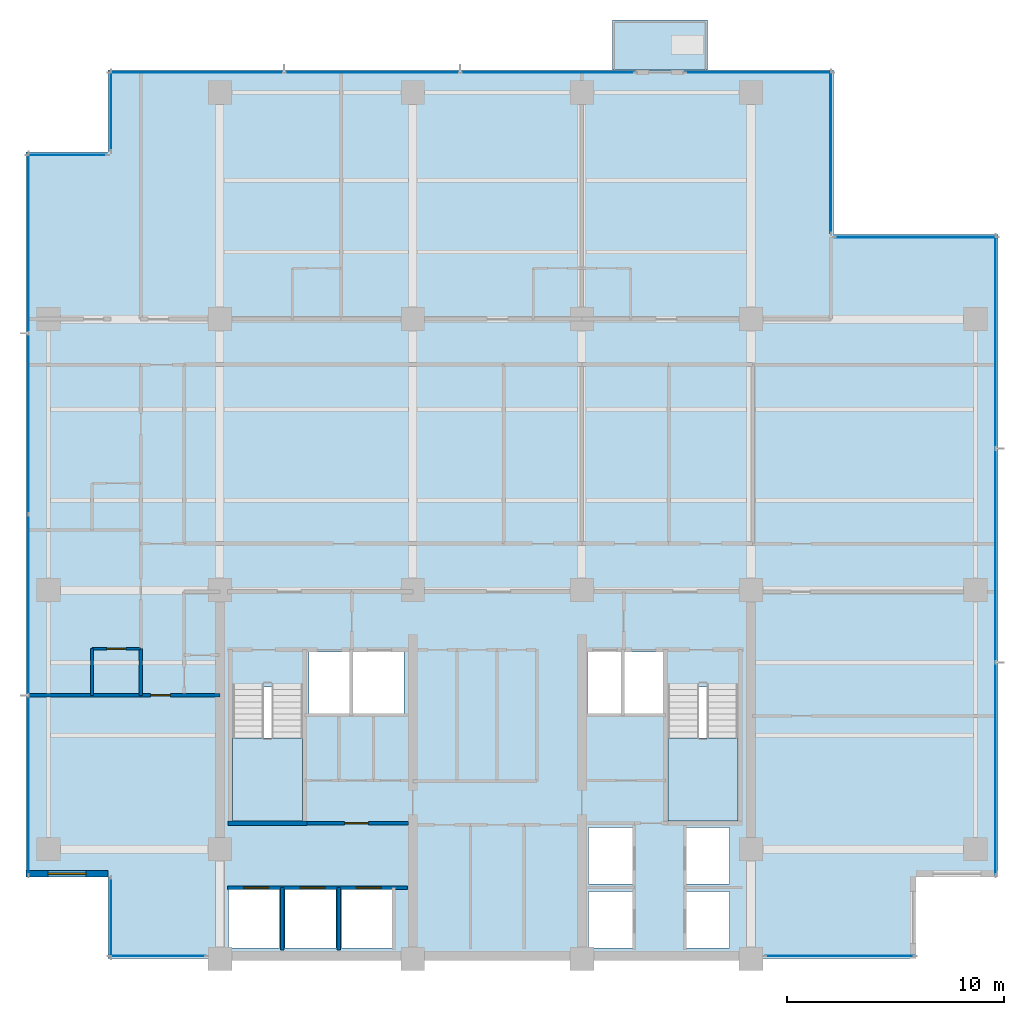
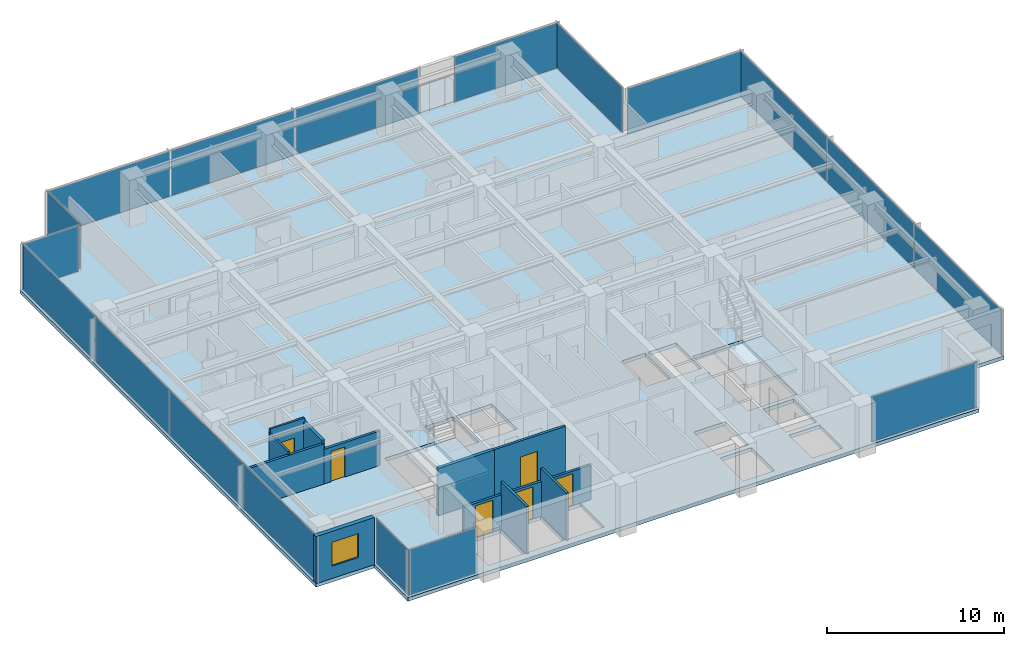
# One storey, part 6 of 15: 18 plates, 11 walls, 6 doors, 4 slabs, 1 window, 7 openings, 13 elements without a shape of their own.
"""IFC4 building model written with IfcOpenShell, lengths in metres."""

from ifc_helpers import new_model, si_unit, direction, frame, frame_2d, origin, origin_2d, place, context, subcontext, project, spatial, polyline, rectangle, outline, extrude, material, layer, layer_set, type_object, element, fill, aggregate, save


model = new_model("IFC4")

# Units and contexts
model_context = context("Model", 3, precision=1e-05, world=origin(), true_north=direction((0.0, 1.0)))
body_context = subcontext(model_context, "Body", "Model", "MODEL_VIEW")
ifc_project = project(units=[si_unit("LENGTHUNIT", "METRE"), si_unit("AREAUNIT", "SQUARE_METRE"), si_unit("VOLUMEUNIT", "CUBIC_METRE"), si_unit("PLANEANGLEUNIT", "RADIAN"), si_unit("MASSUNIT", "GRAM", prefix="KILO")], contexts=[model_context])

# Site, building, storey
site_placement = place(None, origin())
site = spatial("IfcSite", under=ifc_project, at=site_placement, CompositionType="ELEMENT")
building_placement = place(site_placement, origin())
building = spatial("IfcBuilding", under=site, at=building_placement, Name="Qalmaran Belvedere Hotel", CompositionType="ELEMENT")
storey_placement = place(building_placement, frame((0.0, 0.0, 163.10009765625)))
storey = spatial("IfcBuildingStorey", under=building, at=storey_placement, Name="L41", CompositionType="ELEMENT", Elevation=163.10009765625)

# Curtain wall, plate
ifc_material_1 = material(Name="Anodised Bronze Aluminium", Category="aluminium")
ifc_layer_1 = layer(ifc_material_1, 0.195068359375, Name="Anodised Bronze Aluminium")
ifc_layer_set_1 = layer_set([ifc_layer_1], Name="Anodised Bronze Aluminium")
curtain_wall_type = type_object("IfcCurtainWallType", Name="CW4-TOWER-HIGHMID", PredefinedType="NOTDEFINED", material=ifc_layer_set_1)
curtain_wall_1_placement = place(storey_placement, origin())
curtain_wall_1 = element("IfcCurtainWall", 1, at=curtain_wall_1_placement, inside=storey, type_object=curtain_wall_type, Name="L41 Curtain Wall CW4", PredefinedType="NOTDEFINED")
ifc_material_2 = material(Name="Solar-Control Double Glazing", Category="glass")
ifc_layer_2 = layer(ifc_material_2, 0.028076171875, Name="Solar-Control Double Glazing")
ifc_layer_set_2 = layer_set([ifc_layer_2], Name="Solar-Control Double Glazing")
plate_type = type_object("IfcPlateType", Name="CWP-VISION-28", PredefinedType="CURTAIN_PANEL", material=ifc_layer_set_2)
plate_1_placement = place(storey_placement, frame((17.429931640625, 3.6201171875, 0.06494140625), z_axis=(0.0, 0.0, 1.0), x_axis=(1.0, 0.0, 0.0)))
plate_1 = element("IfcPlate", 2, at=plate_1_placement, type_object=plate_type, Name="CW4 panel 1.1", PredefinedType="CURTAIN_PANEL", context=body_context, shape_type="SweptSolid", body=[
    extrude(rectangle(XDim=4.419921875, YDim=0.028076171875, at=origin_2d()), origin(), (0.0, 0.0, 1.0), 3.1201171875),
])
aggregate(curtain_wall_1, [plate_1])

curtain_wall_2_placement = place(storey_placement, origin())
curtain_wall_2 = element("IfcCurtainWall", 3, at=curtain_wall_2_placement, inside=storey, type_object=curtain_wall_type, Name="L41 Curtain Wall CW4", PredefinedType="NOTDEFINED")
plate_2_placement = place(storey_placement, frame((48.89501953125, 3.6201171875, 0.06494140625), z_axis=(0.0, 0.0, 1.0), x_axis=(1.0, 0.0, 0.0)))
plate_2 = element("IfcPlate", 4, at=plate_2_placement, type_object=plate_type, Name="CW4 panel 1.1", PredefinedType="CURTAIN_PANEL", context=body_context, shape_type="SweptSolid", body=[
    extrude(rectangle(XDim=6.8701171875, YDim=0.028076171875, at=origin_2d()), origin(), (0.0, 0.0, 1.0), 3.1201171875),
])
aggregate(curtain_wall_2, [plate_2])

# Curtain wall, plates
curtain_wall_3_placement = place(storey_placement, origin())
curtain_wall_3 = element("IfcCurtainWall", 5, at=curtain_wall_3_placement, inside=storey, type_object=curtain_wall_type, Name="L41 Curtain Wall CW4", PredefinedType="NOTDEFINED")
plate_3_placement = place(storey_placement, frame((56.080078125, 12.250732421875, 0.06494140625), z_axis=(0.0, 0.0, 1.0), x_axis=(0.0, 1.0, 0.0)))
plate_3 = element("IfcPlate", 6, at=plate_3_placement, type_object=plate_type, Name="CW4 panel 1.1", PredefinedType="CURTAIN_PANEL", context=body_context, shape_type="SweptSolid", body=[
    extrude(rectangle(XDim=9.76171875, YDim=0.028076171875, at=origin_2d()), origin(), (0.0, 0.0, 1.0), 3.1201171875),
])
plate_4_placement = place(storey_placement, frame((56.080078125, 22.10009765625, 0.06494140625), z_axis=(0.0, 0.0, 1.0), x_axis=(0.0, 1.0, 0.0)))
plate_4 = element("IfcPlate", 7, at=plate_4_placement, type_object=plate_type, Name="CW4 panel 2.1", PredefinedType="CURTAIN_PANEL", context=body_context, shape_type="SweptSolid", body=[
    extrude(rectangle(XDim=9.796630859375, YDim=0.028076171875, at=origin_2d()), origin(), (0.0, 0.0, 1.0), 3.1201171875),
])
plate_5_placement = place(storey_placement, frame((56.080078125, 31.94921875, 0.06494140625), z_axis=(0.0, 0.0, 1.0), x_axis=(0.0, 1.0, 0.0)))
plate_5 = element("IfcPlate", 8, at=plate_5_placement, type_object=plate_type, Name="CW4 panel 3.1", PredefinedType="CURTAIN_PANEL", context=body_context, shape_type="SweptSolid", body=[
    extrude(rectangle(XDim=9.76171875, YDim=0.028076171875, at=origin_2d()), origin(), (0.0, 0.0, 1.0), 3.1201171875),
])
aggregate(curtain_wall_3, [plate_3, plate_4, plate_5])

# Curtain wall, plate
curtain_wall_4_placement = place(storey_placement, origin())
curtain_wall_4 = element("IfcCurtainWall", 9, at=curtain_wall_4_placement, inside=storey, type_object=curtain_wall_type, Name="L41 Curtain Wall CW4", PredefinedType="NOTDEFINED")
plate_6_placement = place(storey_placement, frame((52.39990234375, 36.780029296875, 0.06494140625), z_axis=(0.0, 0.0, 1.0), x_axis=(-1.0, 0.0, 0.0)))
plate_6 = element("IfcPlate", 10, at=plate_6_placement, type_object=plate_type, Name="CW4 panel 1.1", PredefinedType="CURTAIN_PANEL", context=body_context, shape_type="SweptSolid", body=[
    extrude(rectangle(XDim=7.4599609375, YDim=0.028076171875, at=origin_2d()), origin(), (0.0, 0.0, 1.0), 3.1201171875),
])
aggregate(curtain_wall_4, [plate_6])

curtain_wall_5_placement = place(storey_placement, origin())
curtain_wall_5 = element("IfcCurtainWall", 11, at=curtain_wall_5_placement, inside=storey, type_object=curtain_wall_type, Name="L41 Curtain Wall CW4", PredefinedType="NOTDEFINED")
plate_7_placement = place(storey_placement, frame((48.47998046875, 40.699951171875, 0.06494140625), z_axis=(0.0, 0.0, 1.0), x_axis=(0.0, 1.0, 0.0)))
plate_7 = element("IfcPlate", 12, at=plate_7_placement, type_object=plate_type, Name="CW4 panel 1.1", PredefinedType="CURTAIN_PANEL", context=body_context, shape_type="SweptSolid", body=[
    extrude(rectangle(XDim=7.4599609375, YDim=0.028076171875, at=origin_2d()), origin(), (0.0, 0.0, 1.0), 3.1201171875),
])
aggregate(curtain_wall_5, [plate_7])

# Curtain wall, plates
curtain_wall_6_placement = place(storey_placement, origin())
curtain_wall_6 = element("IfcCurtainWall", 13, at=curtain_wall_6_placement, inside=storey, type_object=curtain_wall_type, Name="L41 Curtain Wall CW4", PredefinedType="NOTDEFINED")
plate_8_placement = place(storey_placement, frame((35.424072265625, 44.3798828125, 0.06494140625), z_axis=(0.0, 0.0, 1.0), x_axis=(-1.0, 0.0, 0.0)))
plate_8 = element("IfcPlate", 14, at=plate_8_placement, type_object=plate_type, Name="CW4 panel 1.1", PredefinedType="CURTAIN_PANEL", context=body_context, shape_type="SweptSolid", body=[
    extrude(rectangle(XDim=8.01171875, YDim=0.028076171875, at=origin_2d()), origin(), (0.0, 0.0, 1.0), 3.1201171875),
])
plate_9_placement = place(storey_placement, frame((27.324951171875, 44.3798828125, 0.06494140625), z_axis=(0.0, 0.0, 1.0), x_axis=(-1.0, 0.0, 0.0)))
plate_9 = element("IfcPlate", 15, at=plate_9_placement, type_object=plate_type, Name="CW4 panel 2.1", PredefinedType="CURTAIN_PANEL", context=body_context, shape_type="SweptSolid", body=[
    extrude(rectangle(XDim=8.046630859375, YDim=0.028076171875, at=origin_2d()), origin(), (0.0, 0.0, 1.0), 3.1201171875),
])
plate_10_placement = place(storey_placement, frame((19.225830078125, 44.3798828125, 0.06494140625), z_axis=(0.0, 0.0, 1.0), x_axis=(-1.0, 0.0, 0.0)))
plate_10 = element("IfcPlate", 16, at=plate_10_placement, type_object=plate_type, Name="CW4 panel 3.1", PredefinedType="CURTAIN_PANEL", context=body_context, shape_type="SweptSolid", body=[
    extrude(rectangle(XDim=8.01171875, YDim=0.028076171875, at=origin_2d()), origin(), (0.0, 0.0, 1.0), 3.1201171875),
])
aggregate(curtain_wall_6, [plate_8, plate_9, plate_10])

# Curtain wall, plate
curtain_wall_7_placement = place(storey_placement, origin())
curtain_wall_7 = element("IfcCurtainWall", 17, at=curtain_wall_7_placement, inside=storey, type_object=curtain_wall_type, Name="L41 Curtain Wall CW4", PredefinedType="NOTDEFINED")
plate_11_placement = place(storey_placement, frame((45.14990234375, 44.3798828125, 0.06494140625), z_axis=(0.0, 0.0, 1.0), x_axis=(-1.0, 0.0, 0.0)))
plate_11 = element("IfcPlate", 18, at=plate_11_placement, type_object=plate_type, Name="CW4 panel 1.1", PredefinedType="CURTAIN_PANEL", context=body_context, shape_type="SweptSolid", body=[
    extrude(rectangle(XDim=6.760009765625, YDim=0.028076171875, at=origin_2d()), origin(), (0.0, 0.0, 1.0), 3.1201171875),
])
aggregate(curtain_wall_7, [plate_11])

curtain_wall_8_placement = place(storey_placement, origin())
curtain_wall_8 = element("IfcCurtainWall", 19, at=curtain_wall_8_placement, inside=storey, type_object=curtain_wall_type, Name="L41 Curtain Wall CW4", PredefinedType="NOTDEFINED")
plate_12_placement = place(storey_placement, frame((15.27001953125, 42.60009765625, 0.06494140625), z_axis=(0.0, 0.0, 1.0), x_axis=(0.0, -1.0, 0.0)))
plate_12 = element("IfcPlate", 20, at=plate_12_placement, type_object=plate_type, Name="CW4 panel 1.1", PredefinedType="CURTAIN_PANEL", context=body_context, shape_type="SweptSolid", body=[
    extrude(rectangle(XDim=3.659912109375, YDim=0.028076171875, at=origin_2d()), origin(), (0.0, 0.0, 1.0), 3.1201171875),
])
aggregate(curtain_wall_8, [plate_12])

curtain_wall_9_placement = place(storey_placement, origin())
curtain_wall_9 = element("IfcCurtainWall", 21, at=curtain_wall_9_placement, inside=storey, type_object=curtain_wall_type, Name="L41 Curtain Wall CW4", PredefinedType="NOTDEFINED")
plate_13_placement = place(storey_placement, frame((13.25, 40.580078125, 0.06494140625), z_axis=(0.0, 0.0, 1.0), x_axis=(-1.0, 0.0, 0.0)))
plate_13 = element("IfcPlate", 22, at=plate_13_placement, type_object=plate_type, Name="CW4 panel 1.1", PredefinedType="CURTAIN_PANEL", context=body_context, shape_type="SweptSolid", body=[
    extrude(rectangle(XDim=3.659912109375, YDim=0.028076171875, at=origin_2d()), origin(), (0.0, 0.0, 1.0), 3.1201171875),
])
aggregate(curtain_wall_9, [plate_13])

# Curtain wall, plates
curtain_wall_10_placement = place(storey_placement, origin())
curtain_wall_10 = element("IfcCurtainWall", 23, at=curtain_wall_10_placement, inside=storey, type_object=curtain_wall_type, Name="L41 Curtain Wall CW4", PredefinedType="NOTDEFINED")
plate_14_placement = place(storey_placement, frame((11.469970703125, 36.507568359375, 0.06494140625), z_axis=(0.0, 0.0, 1.0), x_axis=(0.0, -1.0, 0.0)))
plate_14 = element("IfcPlate", 24, at=plate_14_placement, type_object=plate_type, Name="CW4 panel 1.1", PredefinedType="CURTAIN_PANEL", context=body_context, shape_type="SweptSolid", body=[
    extrude(rectangle(XDim=8.2451171875, YDim=0.028076171875, at=origin_2d()), origin(), (0.0, 0.0, 1.0), 3.1201171875),
])
plate_15_placement = place(storey_placement, frame((11.469970703125, 28.175048828125, 0.06494140625), z_axis=(0.0, 0.0, 1.0), x_axis=(0.0, -1.0, 0.0)))
plate_15 = element("IfcPlate", 25, at=plate_15_placement, type_object=plate_type, Name="CW4 panel 2.1", PredefinedType="CURTAIN_PANEL", context=body_context, shape_type="SweptSolid", body=[
    extrude(rectangle(XDim=8.280029296875, YDim=0.028076171875, at=origin_2d()), origin(), (0.0, 0.0, 1.0), 3.1201171875),
])
plate_16_placement = place(storey_placement, frame((11.469970703125, 19.824951171875, 0.06494140625), z_axis=(0.0, 0.0, 1.0), x_axis=(0.0, -1.0, 0.0)))
plate_16 = element("IfcPlate", 26, at=plate_16_placement, type_object=plate_type, Name="CW4 panel 3.1", PredefinedType="CURTAIN_PANEL", context=body_context, shape_type="SweptSolid", body=[
    extrude(rectangle(XDim=8.280029296875, YDim=0.028076171875, at=origin_2d()), origin(), (0.0, 0.0, 1.0), 3.1201171875),
])
plate_17_placement = place(storey_placement, frame((11.469970703125, 11.492431640625, 0.06494140625), z_axis=(0.0, 0.0, 1.0), x_axis=(0.0, -1.0, 0.0)))
plate_17 = element("IfcPlate", 27, at=plate_17_placement, type_object=plate_type, Name="CW4 panel 4.1", PredefinedType="CURTAIN_PANEL", context=body_context, shape_type="SweptSolid", body=[
    extrude(rectangle(XDim=8.2451171875, YDim=0.028076171875, at=origin_2d()), origin(), (0.0, 0.0, 1.0), 3.1201171875),
])
aggregate(curtain_wall_10, [plate_14, plate_15, plate_16, plate_17])

# Curtain wall, plate
curtain_wall_11_placement = place(storey_placement, origin())
curtain_wall_11 = element("IfcCurtainWall", 28, at=curtain_wall_11_placement, inside=storey, type_object=curtain_wall_type, Name="L41 Curtain Wall CW4", PredefinedType="NOTDEFINED")
plate_18_placement = place(storey_placement, frame((15.27001953125, 5.39990234375, 0.06494140625), z_axis=(0.0, 0.0, 1.0), x_axis=(0.0, -1.0, 0.0)))
plate_18 = element("IfcPlate", 29, at=plate_18_placement, type_object=plate_type, Name="CW4 panel 1.1", PredefinedType="CURTAIN_PANEL", context=body_context, shape_type="SweptSolid", body=[
    extrude(rectangle(XDim=3.659912109375, YDim=0.028076171875, at=origin_2d()), origin(), (0.0, 0.0, 1.0), 3.1201171875),
])
aggregate(curtain_wall_11, [plate_18])

# Slab
ifc_material_3 = material(Name="Concrete C40/50", Category="concrete")
ifc_layer_3 = layer(ifc_material_3, 0.219970703125, Name="Concrete C40/50")
ifc_layer_set_3 = layer_set([ifc_layer_3], Name="Concrete C40/50")
slab_type_1 = type_object("IfcSlabType", Name="SLB-BAL-220", PredefinedType="USERDEFINED", material=ifc_layer_set_3)
slab_1_placement = place(storey_placement, frame((0.0, 0.0, -0.22021484375)))
element("IfcSlab", 30, at=slab_1_placement, inside=storey, type_object=slab_type_1, Name="L41 Planted Tree Balcony Slab 1", ObjectType="BALCONY", PredefinedType="USERDEFINED", context=body_context, shape_type="SweptSolid", body=[
    extrude(outline(polyline([(38.39990234375, 44.5), (42.800048828125, 44.5), (42.800048828125, 46.800048828125), (38.39990234375, 46.800048828125), (38.39990234375, 44.5)])), origin(), (0.0, 0.0, 1.0), 0.22021484375),
])

# Stair, slab
stair_type_1 = type_object("IfcStairType", Name="STR-ST-1-1450-R1750", PredefinedType="HALF_TURN_STAIR", material=ifc_material_3)
stair_1_placement = place(storey_placement, origin())
stair_1 = element("IfcStair", 31, at=stair_1_placement, inside=storey, type_object=stair_type_1, Name="L41 West Core Exit Stair ST-1", PredefinedType="HALF_TURN_STAIR")
ifc_layer_4 = layer(ifc_material_3, 0.199951171875, Name="Concrete C40/50")
ifc_layer_set_4 = layer_set([ifc_layer_4], Name="Concrete C40/50")
slab_type_2 = type_object("IfcSlabType", Name="SLB-STAIR-LANDING-200", PredefinedType="LANDING", material=ifc_layer_set_4)
slab_2_placement = place(storey_placement, frame((0.0, 0.0, 1.5498046875)))
slab_2 = element("IfcSlab", 32, at=slab_2_placement, type_object=slab_type_2, Name="ST-1 landing 1", PredefinedType="LANDING", context=body_context, shape_type="SweptSolid", body=[
    extrude(outline(polyline([(20.8798828125, 13.669921875), (20.8798828125, 9.85009765625), (24.1201171875, 9.85009765625), (24.1201171875, 13.669921875), (20.8798828125, 13.669921875)])), origin(), (0.0, 0.0, 1.0), 0.2001953125),
])
aggregate(stair_1, [slab_2])

stair_type_2 = type_object("IfcStairType", Name="STR-ST-2-1450-R1750", PredefinedType="HALF_TURN_STAIR", material=ifc_material_3)
stair_2_placement = place(storey_placement, origin())
stair_2 = element("IfcStair", 33, at=stair_2_placement, inside=storey, type_object=stair_type_2, Name="L41 East Core Exit Stair ST-2", PredefinedType="HALF_TURN_STAIR")
slab_3_placement = place(storey_placement, frame((0.0, 0.0, 1.5498046875)))
slab_3 = element("IfcSlab", 34, at=slab_3_placement, type_object=slab_type_2, Name="ST-2 landing 1", PredefinedType="LANDING", context=body_context, shape_type="SweptSolid", body=[
    extrude(outline(polyline([(40.9599609375, 13.669921875), (40.9599609375, 9.85009765625), (44.199951171875, 9.85009765625), (44.199951171875, 13.669921875), (40.9599609375, 13.669921875)])), origin(), (0.0, 0.0, 1.0), 0.2001953125),
])
aggregate(stair_2, [slab_3])

# Slab
ifc_layer_5 = layer(ifc_material_3, 0.25, Name="Concrete C40/50")
ifc_layer_set_5 = layer_set([ifc_layer_5], Name="Concrete C40/50")
slab_type_3 = type_object("IfcSlabType", Name="SLB-Z3-250", PredefinedType="FLOOR", material=ifc_layer_set_5)
slab_4_placement = place(storey_placement, frame((0.0, 0.0, -0.25)))
element("IfcSlab", 35, at=slab_4_placement, inside=storey, type_object=slab_type_3, Name="L41 Structural Floor Slab", PredefinedType="FLOOR", context=body_context, shape_type="SweptSolid", body=[
    extrude(outline(polyline([(15.14990234375, 3.5), (52.39990234375, 3.5), (52.39990234375, 7.300048828125), (56.199951171875, 7.300048828125), (56.199951171875, 36.89990234375), (48.60009765625, 36.89990234375), (48.60009765625, 44.5), (15.14990234375, 44.5), (15.14990234375, 40.699951171875), (11.35009765625, 40.699951171875), (11.35009765625, 7.300048828125), (15.14990234375, 7.300048828125), (15.14990234375, 3.5)]), holes=[polyline([(20.8798828125, 9.85009765625), (24.1201171875, 9.85009765625), (24.1201171875, 16.0400390625), (20.8798828125, 16.0400390625), (20.8798828125, 9.85009765625)]), polyline([(40.9599609375, 9.85009765625), (44.199951171875, 9.85009765625), (44.199951171875, 16.0400390625), (40.9599609375, 16.0400390625), (40.9599609375, 9.85009765625)]), polyline([(37.300048828125, 4.0), (39.35009765625, 4.0), (39.35009765625, 6.60009765625), (37.300048828125, 6.60009765625), (37.300048828125, 4.0)]), polyline([(37.300048828125, 6.949951171875), (39.35009765625, 6.949951171875), (39.35009765625, 9.550048828125), (37.300048828125, 9.550048828125), (37.300048828125, 6.949951171875)]), polyline([(41.800048828125, 4.0), (43.800048828125, 4.0), (43.800048828125, 6.60009765625), (41.800048828125, 6.60009765625), (41.800048828125, 4.0)]), polyline([(41.800048828125, 6.949951171875), (43.800048828125, 6.949951171875), (43.800048828125, 9.550048828125), (41.800048828125, 9.550048828125), (41.800048828125, 6.949951171875)]), polyline([(20.699951171875, 4.0), (23.050048828125, 4.0), (23.050048828125, 6.699951171875), (20.699951171875, 6.699951171875), (20.699951171875, 4.0)]), polyline([(23.300048828125, 4.0), (25.64990234375, 4.0), (25.64990234375, 6.699951171875), (23.300048828125, 6.699951171875), (23.300048828125, 4.0)]), polyline([(25.89990234375, 4.0), (28.25, 4.0), (28.25, 6.699951171875), (25.89990234375, 6.699951171875), (25.89990234375, 4.0)]), polyline([(24.39990234375, 14.800048828125), (26.300048828125, 14.800048828125), (26.300048828125, 17.64990234375), (24.39990234375, 17.64990234375), (24.39990234375, 14.800048828125)]), polyline([(38.949951171875, 14.800048828125), (40.820068359375, 14.800048828125), (40.820068359375, 17.64990234375), (38.949951171875, 17.64990234375), (38.949951171875, 14.800048828125)]), polyline([(26.449951171875, 14.800048828125), (28.800048828125, 14.800048828125), (28.800048828125, 17.64990234375), (26.449951171875, 17.64990234375), (26.449951171875, 14.800048828125)]), polyline([(37.25, 14.800048828125), (38.800048828125, 14.800048828125), (38.800048828125, 17.64990234375), (37.25, 17.64990234375), (37.25, 14.800048828125)])]), origin(), (0.0, 0.0, 1.0), 0.25),
])

# Wall, opening, window
ifc_material_4 = material(Name="Anodised Bronze Cladding")
ifc_layer_6 = layer(ifc_material_4, 0.280029296875, Name="Anodised Bronze Cladding")
ifc_layer_set_6 = layer_set([ifc_layer_6], Name="Anodised Bronze Cladding")
wall_type_1 = type_object("IfcWallType", Name="WL-EXT-BRNZ-280", PredefinedType="SOLIDWALL", material=ifc_layer_set_6)
wall_1_placement = place(storey_placement, frame((11.35009765625, 7.419921875, 0.0), z_axis=(0.0, 0.0, 1.0), x_axis=(1.0, 0.0, 0.0)))
wall_1 = element("IfcWall", 36, at=wall_1_placement, inside=storey, type_object=wall_type_1, Name="L41 Corner Notch Wall 10", PredefinedType="SOLIDWALL", context=body_context, shape_type="SweptSolid", body=[
    extrude(rectangle(XDim=3.7998046875, YDim=0.280029296875, at=frame_2d((1.89990234375, 0.0))), origin(), (0.0, 0.0, 1.0), 3.25),
])
opening_1_placement = place(wall_1_placement, frame((1.02490234375, 0.0, 0.85009765625)))
opening_1 = element("IfcOpeningElement", 37, at=opening_1_placement, cuts=wall_1, Name="Opening W-N17", PredefinedType="OPENING", context=body_context, shape_type="SweptSolid", body=[
    extrude(rectangle(XDim=1.75, YDim=1.64990234375, at=frame_2d((0.875, 0.824951171875))), frame((0.0, 0.14990234375, 0.0), z_axis=(0.0, -1.0, 0.0), x_axis=(1.0, 0.0, 0.0)), (0.0, 0.0, 1.0), 0.300048828125),
])
window_type = type_object("IfcWindowType", Name="WN-NTC-1750X1650", PartitioningType="SINGLE_PANEL", PredefinedType="WINDOW", material=ifc_material_2)
window_placement = place(opening_1_placement, origin())
window = element("IfcWindow", 38, at=window_placement, inside=storey, type_object=window_type, Name="L41 Corner Notch Window 10", OverallHeight=1.64990234375, OverallWidth=1.75, PartitioningType="SINGLE_PANEL", PredefinedType="WINDOW", context=body_context, shape_type="SweptSolid", body=[
    extrude(rectangle(XDim=1.75, YDim=1.64990234375, at=frame_2d((0.875, 0.824951171875))), frame((0.0, 0.030029296875, 0.0), z_axis=(0.0, -1.0, 0.0), x_axis=(1.0, 0.0, 0.0)), (0.0, 0.0, 1.0), 0.06005859375),
])
fill(opening_1, window)

# Wall, opening, door
ifc_material_5 = material(Name="Moisture-Resistant Gypsum")
ifc_layer_7 = layer(ifc_material_5, 0.1201171875, Name="Moisture-Resistant Gypsum")
ifc_layer_set_7 = layer_set([ifc_layer_7], Name="Moisture-Resistant Gypsum")
wall_type_2 = type_object("IfcWallType", Name="WL-INT-120-BATH", PredefinedType="PARTITIONING", material=ifc_layer_set_7)
wall_2_placement = place(storey_placement, frame((14.39990234375, 17.800048828125, 0.0), z_axis=(0.0, 0.0, 1.0), x_axis=(1.0, 0.0, 0.0)))
wall_2 = element("IfcWall", 39, at=wall_2_placement, inside=storey, type_object=wall_type_2, Name="L41 Partition WL-L41-WBN00", PredefinedType="PARTITIONING", context=body_context, shape_type="SweptSolid", body=[
    extrude(rectangle(XDim=2.25, YDim=0.1201171875, at=frame_2d((1.125, 0.0))), origin(), (0.0, 0.0, 1.0), 3.25),
])
opening_2_placement = place(wall_2_placement, frame((1.56494140625, 0.0, 0.0), z_axis=(0.0, 0.0, 1.0), x_axis=(-1.0, 0.0, 0.0)))
opening_2 = element("IfcOpeningElement", 40, at=opening_2_placement, cuts=wall_2, Name="Opening D-BATH", PredefinedType="OPENING", context=body_context, shape_type="SweptSolid", body=[
    extrude(rectangle(XDim=0.8798828125, YDim=2.080078125, at=frame_2d((0.43994140625, 1.0400390625))), frame((0.0, 0.070068359375, 0.0), z_axis=(0.0, -1.0, 0.0), x_axis=(1.0, 0.0, 0.0)), (0.0, 0.0, 1.0), 0.14013671875),
])
ifc_material_6 = material(Name="Engineered Oak Veneer")
door_type_1 = type_object("IfcDoorType", Name="DR-INT-BATH-880X2080", OperationType="NOTDEFINED", PredefinedType="DOOR", material=ifc_material_6)
door_1_placement = place(opening_2_placement, origin())
door_1 = element("IfcDoor", 41, at=door_1_placement, inside=storey, type_object=door_type_1, Name="L41 W Ensuite Door 01", OperationType="SINGLE_SWING_LEFT", OverallHeight=2.080078125, OverallWidth=0.8798828125, PredefinedType="DOOR", context=body_context, shape_type="SweptSolid", body=[
    extrude(rectangle(XDim=0.8798828125, YDim=2.080078125, at=frame_2d((0.43994140625, 1.0400390625))), frame((0.0, 0.02490234375, 0.0), z_axis=(0.0, -1.0, 0.0), x_axis=(1.0, 0.0, 0.0)), (0.0, 0.0, 1.0), 0.050048828125),
])
fill(opening_2, door_1)

# Walls
wall_3_placement = place(storey_placement, frame((14.39990234375, 15.64990234375, 0.0), z_axis=(0.0, 0.0, 1.0), x_axis=(0.0, 1.0, 0.0)))
element("IfcWall", 42, at=wall_3_placement, inside=storey, type_object=wall_type_2, Name="L41 Partition WL-L41-WBS00", PredefinedType="PARTITIONING", context=body_context, shape_type="SweptSolid", body=[
    extrude(rectangle(XDim=2.150146484375, YDim=0.1201171875, at=frame_2d((1.0751953125, 0.0))), origin(), (0.0, 0.0, 1.0), 2.98779296875),
])
ifc_material_7 = material(Name="Gypsum Stud Partition")
ifc_layer_8 = layer(ifc_material_7, 0.14990234375, Name="Gypsum Stud Partition")
ifc_layer_set_8 = layer_set([ifc_layer_8], Name="Gypsum Stud Partition")
wall_type_3 = type_object("IfcWallType", Name="WL-INT-150-EI120", PredefinedType="PARTITIONING", material=ifc_layer_set_8)
for number, where, z_axis, x_axis, name in (
    (43, (23.179931640625, 3.89990234375, 0.0), (0.0, 0.0, 1.0), (0.0, 1.0, 0.0), "L41 Partition WL-POM1-L41"),
    (44, (25.780029296875, 3.89990234375, 0.0), (0.0, 0.0, 1.0), (0.0, 1.0, 0.0), "L41 Partition WL-POM2-L41"),
):
    element("IfcWall", number, at=place(storey_placement, frame(where, z_axis=z_axis, x_axis=x_axis)), inside=storey, type_object=wall_type_3, Name=name, PredefinedType="PARTITIONING", context=body_context, shape_type="SweptSolid", body=[
        extrude(rectangle(XDim=2.880126953125, YDim=0.14990234375, at=frame_2d((1.43994140625, 0.0))), origin(), (0.0, 0.0, 1.0), 3.25),
    ])

# Wall, openings, doors
ifc_layer_9 = layer(ifc_material_7, 0.159912109375, Name="Gypsum Stud Partition")
ifc_layer_set_9 = layer_set([ifc_layer_9], Name="Gypsum Stud Partition")
wall_type_4 = type_object("IfcWallType", Name="WL-INT-160-EI120", PredefinedType="PARTITIONING", material=ifc_layer_set_9)
wall_4_placement = place(storey_placement, frame((20.64990234375, 6.780029296875, 0.0), z_axis=(0.0, 0.0, 1.0), x_axis=(1.0, 0.0, 0.0)))
wall_4 = element("IfcWall", 45, at=wall_4_placement, inside=storey, type_object=wall_type_4, Name="L41 Partition WL-POS-L41", PredefinedType="PARTITIONING", context=body_context, shape_type="SweptSolid", body=[
    extrude(rectangle(XDim=8.300048828125, YDim=0.159912109375, at=frame_2d((4.14990234375, 0.0))), origin(), (0.0, 0.0, 1.0), 2.3798828125),
])
opening_3_placement = place(wall_4_placement, frame((0.75, 0.0, 0.0)))
opening_3 = element("IfcOpeningElement", 46, at=opening_3_placement, cuts=wall_4, Name="Opening LD-PO", PredefinedType="OPENING", context=body_context, shape_type="SweptSolid", body=[
    extrude(rectangle(XDim=1.14990234375, YDim=2.199951171875, at=frame_2d((0.574951171875, 1.10009765625))), frame((0.0, 0.08984375, 0.0), z_axis=(0.0, -1.0, 0.0), x_axis=(1.0, 0.0, 0.0)), (0.0, 0.0, 1.0), 0.179931640625),
])
opening_4_placement = place(wall_4_placement, frame((3.35009765625, 0.0, 0.0)))
opening_4 = element("IfcOpeningElement", 47, at=opening_4_placement, cuts=wall_4, Name="Opening LD-PO", PredefinedType="OPENING", context=body_context, shape_type="SweptSolid", body=[
    extrude(rectangle(XDim=1.14990234375, YDim=2.199951171875, at=frame_2d((0.574951171875, 1.10009765625))), frame((0.0, 0.08984375, 0.0), z_axis=(0.0, -1.0, 0.0), x_axis=(1.0, 0.0, 0.0)), (0.0, 0.0, 1.0), 0.179931640625),
])
opening_5_placement = place(wall_4_placement, frame((5.949951171875, 0.0, 0.0)))
opening_5 = element("IfcOpeningElement", 48, at=opening_5_placement, cuts=wall_4, Name="Opening LD-PO", PredefinedType="OPENING", context=body_context, shape_type="SweptSolid", body=[
    extrude(rectangle(XDim=1.14990234375, YDim=2.199951171875, at=frame_2d((0.574951171875, 1.10009765625))), frame((0.0, 0.08984375, 0.0), z_axis=(0.0, -1.0, 0.0), x_axis=(1.0, 0.0, 0.0)), (0.0, 0.0, 1.0), 0.179931640625),
])
door_type_2 = type_object("IfcDoorType", Name="DR-LIFT-PO-1150X2200", OperationType="DOUBLE_DOOR_SLIDING", PredefinedType="DOOR", material=ifc_material_1)
door_2_placement = place(opening_3_placement, origin())
door_2 = element("IfcDoor", 49, at=door_2_placement, inside=storey, type_object=door_type_2, Name="L41 PO1 Shuttle Landing Door", OperationType="DOUBLE_DOOR_SLIDING", OverallHeight=2.199951171875, OverallWidth=1.14990234375, PredefinedType="DOOR", context=body_context, shape_type="SweptSolid", body=[
    extrude(rectangle(XDim=1.14990234375, YDim=2.199951171875, at=frame_2d((0.574951171875, 1.10009765625))), frame((0.0, 0.02490234375, 0.0), z_axis=(0.0, -1.0, 0.0), x_axis=(1.0, 0.0, 0.0)), (0.0, 0.0, 1.0), 0.050048828125),
])
fill(opening_3, door_2)
door_3_placement = place(opening_4_placement, origin())
door_3 = element("IfcDoor", 50, at=door_3_placement, inside=storey, type_object=door_type_2, Name="L41 PO2 Shuttle Landing Door", OperationType="DOUBLE_DOOR_SLIDING", OverallHeight=2.199951171875, OverallWidth=1.14990234375, PredefinedType="DOOR", context=body_context, shape_type="SweptSolid", body=[
    extrude(rectangle(XDim=1.14990234375, YDim=2.199951171875, at=frame_2d((0.574951171875, 1.10009765625))), frame((0.0, 0.02490234375, 0.0), z_axis=(0.0, -1.0, 0.0), x_axis=(1.0, 0.0, 0.0)), (0.0, 0.0, 1.0), 0.050048828125),
])
fill(opening_4, door_3)
door_4_placement = place(opening_5_placement, origin())
door_4 = element("IfcDoor", 51, at=door_4_placement, inside=storey, type_object=door_type_2, Name="L41 PO3 Shuttle Landing Door", OperationType="DOUBLE_DOOR_SLIDING", OverallHeight=2.199951171875, OverallWidth=1.14990234375, PredefinedType="DOOR", context=body_context, shape_type="SweptSolid", body=[
    extrude(rectangle(XDim=1.14990234375, YDim=2.199951171875, at=frame_2d((0.574951171875, 1.10009765625))), frame((0.0, 0.02490234375, 0.0), z_axis=(0.0, -1.0, 0.0), x_axis=(1.0, 0.0, 0.0)), (0.0, 0.0, 1.0), 0.050048828125),
])
fill(opening_5, door_4)

# Wall, opening, door
wall_5_placement = place(storey_placement, frame((24.199951171875, 9.739990234375, 0.0), z_axis=(0.0, 0.0, 1.0), x_axis=(1.0, 0.0, 0.0)))
wall_5 = element("IfcWall", 52, at=wall_5_placement, inside=storey, type_object=wall_type_4, Name="L41 Partition WL-PON-L41", PredefinedType="PARTITIONING", context=body_context, shape_type="SweptSolid", body=[
    extrude(rectangle(XDim=4.800048828125, YDim=0.159912109375, at=frame_2d((2.39990234375, 0.0))), origin(), (0.0, 0.0, 1.0), 3.25),
])
opening_6_placement = place(wall_5_placement, frame((1.85009765625, 0.0, 0.0)))
opening_6 = element("IfcOpeningElement", 53, at=opening_6_placement, cuts=wall_5, Name="Opening FD90", PredefinedType="OPENING", context=body_context, shape_type="SweptSolid", body=[
    extrude(rectangle(XDim=1.10009765625, YDim=2.14990234375, at=frame_2d((0.550048828125, 1.074951171875))), frame((0.0, 0.08984375, 0.0), z_axis=(0.0, -1.0, 0.0), x_axis=(1.0, 0.0, 0.0)), (0.0, 0.0, 1.0), 0.179931640625),
])
ifc_material_8 = material(Name="Steel S355JR", Category="steel")
door_type_3 = type_object("IfcDoorType", Name="DR-FD90-1100X2150", OperationType="NOTDEFINED", PredefinedType="DOOR", material=ifc_material_8)
door_5_placement = place(opening_6_placement, origin())
door_5 = element("IfcDoor", 54, at=door_5_placement, inside=storey, type_object=door_type_3, Name="L41 Shuttle Lobby Passage Door", OperationType="SINGLE_SWING_RIGHT", OverallHeight=2.14990234375, OverallWidth=1.10009765625, PredefinedType="DOOR", context=body_context, shape_type="SweptSolid", body=[
    extrude(rectangle(XDim=1.10009765625, YDim=2.14990234375, at=frame_2d((0.550048828125, 1.074951171875))), frame((0.0, 0.02490234375, 0.0), z_axis=(0.0, -1.0, 0.0), x_axis=(1.0, 0.0, 0.0)), (0.0, 0.0, 1.0), 0.050048828125),
])
fill(opening_6, door_5)

ifc_layer_10 = layer(ifc_material_7, 0.159912109375, Name="Gypsum Stud Partition")
ifc_layer_set_10 = layer_set([ifc_layer_10], Name="Gypsum Stud Partition")
wall_type_5 = type_object("IfcWallType", Name="WL-INT-160-EI60", PredefinedType="PARTITIONING", material=ifc_layer_set_10)
wall_6_placement = place(storey_placement, frame((16.64990234375, 15.64990234375, 0.0), z_axis=(0.0, 0.0, 1.0), x_axis=(1.0, 0.0, 0.0)))
wall_6 = element("IfcWall", 55, at=wall_6_placement, inside=storey, type_object=wall_type_5, Name="L41 Partition WL-L41-SWRL", PredefinedType="PARTITIONING", context=body_context, shape_type="SweptSolid", body=[
    extrude(rectangle(XDim=3.650146484375, YDim=0.159912109375, at=frame_2d((1.8251953125, 0.0))), origin(), (0.0, 0.0, 1.0), 2.3798828125),
])
opening_7_placement = place(wall_6_placement, frame((1.369873046875, 0.0, 0.0), z_axis=(0.0, 0.0, 1.0), x_axis=(-1.0, 0.0, 0.0)))
opening_7 = element("IfcOpeningElement", 56, at=opening_7_placement, cuts=wall_6, Name="Opening FD60S1", PredefinedType="OPENING", context=body_context, shape_type="SweptSolid", body=[
    extrude(rectangle(XDim=0.919921875, YDim=2.080078125, at=frame_2d((0.4599609375, 1.0400390625))), frame((0.0, 0.08984375, 0.0), z_axis=(0.0, -1.0, 0.0), x_axis=(1.0, 0.0, 0.0)), (0.0, 0.0, 1.0), 0.179931640625),
])
door_type_4 = type_object("IfcDoorType", Name="DR-FD60S-920X2080", OperationType="NOTDEFINED", PredefinedType="DOOR", material=ifc_material_6)
door_6_placement = place(opening_7_placement, origin())
door_6 = element("IfcDoor", 57, at=door_6_placement, inside=storey, type_object=door_type_4, Name="L41 SW Study Door", OperationType="SINGLE_SWING_LEFT", OverallHeight=2.080078125, OverallWidth=0.919921875, PredefinedType="DOOR", context=body_context, shape_type="SweptSolid", body=[
    extrude(rectangle(XDim=0.919921875, YDim=2.080078125, at=frame_2d((0.4599609375, 1.0400390625))), frame((0.0, 0.02490234375, 0.0), z_axis=(0.0, -1.0, 0.0), x_axis=(1.0, 0.0, 0.0)), (0.0, 0.0, 1.0), 0.050048828125),
])
fill(opening_7, door_6)

# Walls
wall_7_placement = place(storey_placement, frame((11.469970703125, 15.64990234375, 0.0), z_axis=(0.0, 0.0, 1.0), x_axis=(1.0, 0.0, 0.0)))
element("IfcWall", 58, at=wall_7_placement, inside=storey, type_object=wall_type_5, Name="L41 Partition WL-L41-WBOT", PredefinedType="PARTITIONING", context=body_context, shape_type="SweptSolid", body=[
    extrude(rectangle(XDim=5.179931640625, YDim=0.159912109375, at=frame_2d((2.58984375, 0.0))), origin(), (0.0, 0.0, 1.0), 2.77197265625),
])
ifc_layer_11 = layer(ifc_material_7, 0.179931640625, Name="Gypsum Stud Partition")
ifc_layer_set_11 = layer_set([ifc_layer_11], Name="Gypsum Stud Partition")
wall_type_6 = type_object("IfcWallType", Name="WL-INT-180-EI60", PredefinedType="PARTITIONING", material=ifc_layer_set_11)
wall_8_placement = place(storey_placement, frame((16.64990234375, 15.64990234375, 0.0), z_axis=(0.0, 0.0, 1.0), x_axis=(0.0, 1.0, 0.0)))
element("IfcWall", 59, at=wall_8_placement, inside=storey, type_object=wall_type_6, Name="L41 Partition WL-L41-WBC00", PredefinedType="PARTITIONING", context=body_context, shape_type="SweptSolid", body=[
    extrude(rectangle(XDim=2.150146484375, YDim=0.179931640625, at=frame_2d((1.0751953125, 0.0))), origin(), (0.0, 0.0, 1.0), 2.98779296875),
])
ifc_material_9 = material(Name="Concrete C50/60", Category="concrete")
ifc_layer_12 = layer(ifc_material_9, 0.2099609375, Name="Concrete C50/60")
ifc_layer_set_12 = layer_set([ifc_layer_12], Name="Concrete C50/60")
wall_type_7 = type_object("IfcWallType", Name="WL-STAIR-210-C50", PredefinedType="SHEAR", material=ifc_layer_set_12)
wall_9_placement = place(storey_placement, frame((20.669921875, 9.7451171875, 0.0), z_axis=(0.0, 0.0, 1.0), x_axis=(1.0, 0.0, 0.0)))
element("IfcWall", 60, at=wall_9_placement, inside=storey, type_object=wall_type_7, Name="L41 Stair ST-1 South Bearing Wall", PredefinedType="SHEAR", context=body_context, shape_type="SweptSolid", body=[
    extrude(rectangle(XDim=3.66015625, YDim=0.2099609375, at=frame_2d((1.830078125, 0.0))), origin(), (0.0, 0.0, 1.0), 3.25),
])

save(model, "model.ifc")
